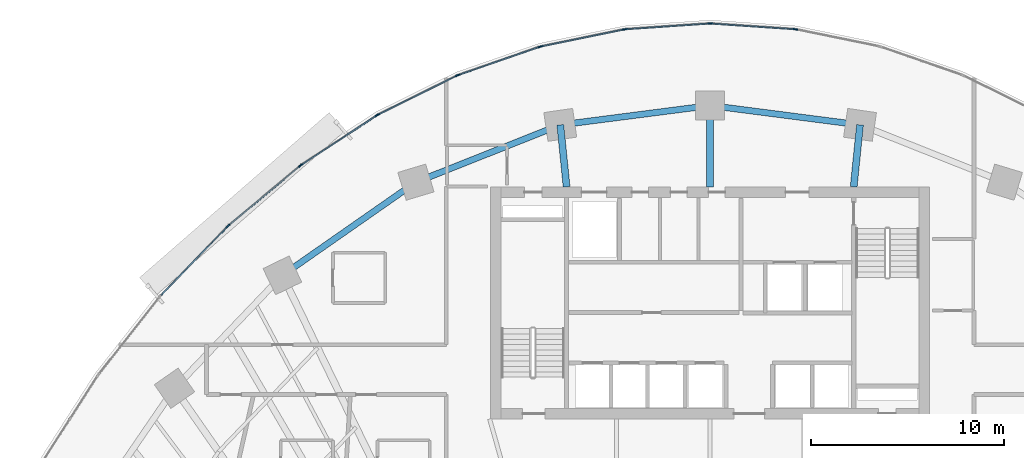
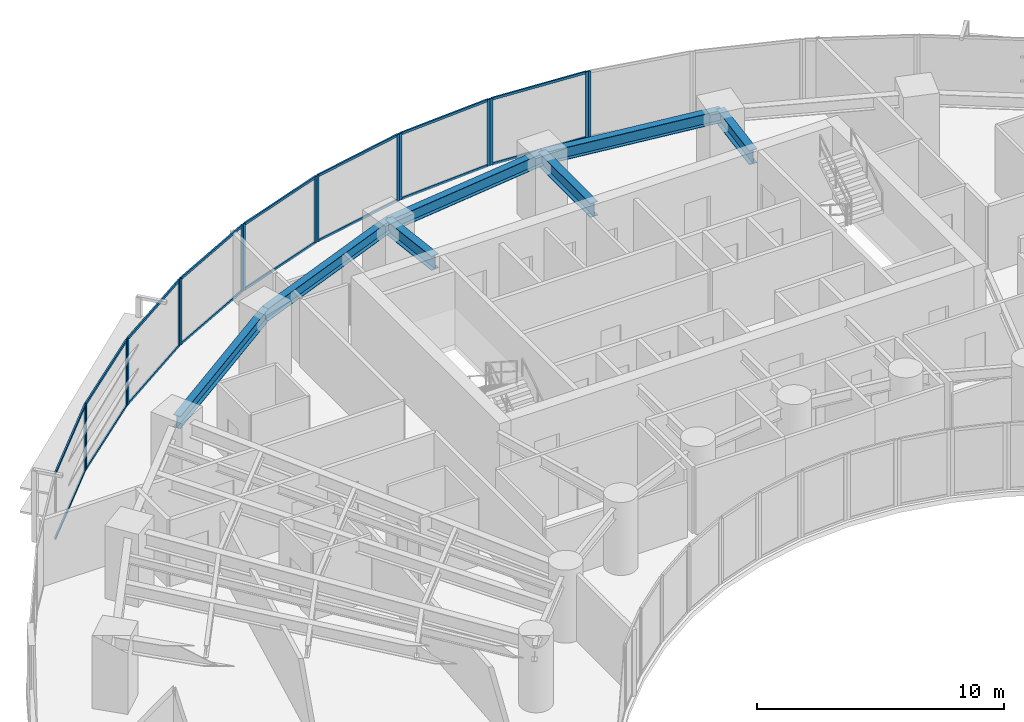
# One storey, part 6 of 17: 32 members, 7 beams, 9 elements without a shape of their own.
"""IFC4 building model written with IfcOpenShell, lengths in metres."""

from ifc_helpers import new_model, si_unit, direction, frame, origin, origin_2d, place, context, subcontext, project, spatial, rectangle, i_section, extrude, source, transform, mapped, material, layer, layer_set, material_profile, profile_set, type_object, element, aggregate, save


model = new_model("IFC4")

# Units and contexts
model_context = context("Model", 3, precision=1e-05, world=origin(), true_north=direction((0.0, 1.0)))
body_context = subcontext(model_context, "Body", "Model", "MODEL_VIEW")
ifc_project = project(units=[si_unit("LENGTHUNIT", "METRE"), si_unit("AREAUNIT", "SQUARE_METRE"), si_unit("VOLUMEUNIT", "CUBIC_METRE"), si_unit("PLANEANGLEUNIT", "RADIAN"), si_unit("MASSUNIT", "GRAM", prefix="KILO")], contexts=[model_context])

# Site, building, storey
site_placement = place(None, origin())
site = spatial("IfcSite", under=ifc_project, at=site_placement, CompositionType="ELEMENT")
building_placement = place(site_placement, origin())
building = spatial("IfcBuilding", under=site, at=building_placement, Name="Breltana Convention Tower", CompositionType="ELEMENT")
storey_placement = place(building_placement, frame((0.0, 0.0, 82.199951171875)))
storey = spatial("IfcBuildingStorey", under=building, at=storey_placement, Name="L19", CompositionType="ELEMENT", Elevation=82.199951171875)

# Beams
ifc_material_1 = material(Name="Steel ASTM A992 Grade 50", Category="steel")
ifc_material_profile_1 = material_profile(ifc_material_1, i_section(OverallWidth=0.323974609375, OverallDepth=0.611083984375, WebThickness=0.0126953125, FlangeThickness=0.01904296875, at=origin_2d()), Name="W24X104")
ifc_profile_set_1 = profile_set([ifc_material_profile_1], Name="Steel ASTM A992 Grade 50")
beam_type_1 = type_object("IfcBeamType", Name="BM-SP-W24X104", PredefinedType="SPANDREL", material=ifc_profile_set_1)
shared_shape_1 = source(origin(), body_context, "Body", "SweptSolid", [
    extrude(i_section(OverallWidth=0.323974609375, OverallDepth=0.611083984375, WebThickness=0.0126953125, FlangeThickness=0.01904296875, at=origin_2d()), origin(), (0.0, 0.0, 1.0), 8.4169921875),
])
beam_1_placement = place(storey_placement, frame((25.8876953125, 67.626953125, 2.974609375), z_axis=(0.820173800102, 0.572114444519, 0.0), x_axis=(-0.572114444519, 0.820173800102, 0.0)))
element("IfcBeam", 1, at=beam_1_placement, inside=storey, type_object=beam_type_1, Name="L19 Outer Spandrel Beam 03", PredefinedType="SPANDREL", context=body_context, shape_type="MappedRepresentation", body=[
    mapped(shared_shape_1, transform((0.0, 0.0, 0.0), scale=1.0)),
])
shared_shape_2 = source(origin(), body_context, "Body", "SweptSolid", [
    extrude(i_section(OverallWidth=0.323974609375, OverallDepth=0.611083984375, WebThickness=0.0126953125, FlangeThickness=0.01904296875, at=origin_2d()), origin(), (0.0, 0.0, 1.0), 8.028564453125),
])
beam_2_placement = place(storey_placement, frame((32.791015625, 72.4423828125, 2.974609375), z_axis=(0.929459100394, 0.368925169507, 0.0), x_axis=(-0.368925169507, 0.929459100394, 0.0)))
element("IfcBeam", 2, at=beam_2_placement, inside=storey, type_object=beam_type_1, Name="L19 Outer Spandrel Beam 04", PredefinedType="SPANDREL", context=body_context, shape_type="MappedRepresentation", body=[
    mapped(shared_shape_2, transform((0.0, 0.0, 0.0), scale=1.0)),
])
shared_shape_3 = source(origin(), body_context, "Body", "SweptSolid", [
    extrude(i_section(OverallWidth=0.323974609375, OverallDepth=0.611083984375, WebThickness=0.0126953125, FlangeThickness=0.01904296875, at=origin_2d()), origin(), (0.0, 0.0, 1.0), 7.81103515625),
])
for number, where, z_axis, x_axis, name in (
    (3, (40.253173828125, 75.404296875, 2.974609375), (0.991775179127, 0.127992164083, 0.0), (-0.127992164083, 0.991775179127, 0.0), "L19 Outer Spandrel Beam 05"),
    (4, (48.0, 76.404052734375, 2.974609375), (0.991775179127, -0.127992164083, 0.0), (0.127992164083, 0.991775179127, 0.0), "L19 Outer Spandrel Beam 06"),
):
    element("IfcBeam", number, at=place(storey_placement, frame(where, z_axis=z_axis, x_axis=x_axis)), inside=storey, type_object=beam_type_1, Name=name, PredefinedType="SPANDREL", context=body_context, shape_type="MappedRepresentation", body=[
        mapped(shared_shape_3, transform((0.0, 0.0, 0.0), scale=1.0)),
    ])
ifc_material_profile_2 = material_profile(ifc_material_1, i_section(OverallWidth=0.35498046875, OverallDepth=0.696044921875, WebThickness=0.015380859375, FlangeThickness=0.02490234375, at=origin_2d()), Name="W27X146")
ifc_profile_set_2 = profile_set([ifc_material_profile_2], Name="Steel ASTM A992 Grade 50")
beam_type_2 = type_object("IfcBeamType", Name="BM-RG-W27X146", PredefinedType="USERDEFINED", material=ifc_profile_set_2)
shared_shape_4 = source(origin(), body_context, "Body", "SweptSolid", [
    extrude(i_section(OverallWidth=0.35498046875, OverallDepth=0.696044921875, WebThickness=0.015380859375, FlangeThickness=0.02490234375, at=origin_2d()), origin(), (0.0, 0.0, 1.0), 3.220947265625),
])
for number, where, z_axis, x_axis, name in (
    (5, (40.580078125, 72.199951171875, 2.93212890625), (-0.101492254858, 0.994836329355, 0.0), (-0.994836329355, -0.101492254858, 0.0), "L19 North Core Radial Girder R05"),
    (6, (55.419921875, 72.199951171875, 2.93212890625), (0.101492254858, 0.994836329355, 0.0), (-0.994836329355, 0.101492254858, 0.0), "L19 North Core Radial Girder R07"),
):
    element("IfcBeam", number, at=place(storey_placement, frame(where, z_axis=z_axis, x_axis=x_axis)), inside=storey, type_object=beam_type_2, Name=name, ObjectType="GIRDER", PredefinedType="USERDEFINED", context=body_context, shape_type="MappedRepresentation", body=[
        mapped(shared_shape_4, transform((0.0, 0.0, 0.0), scale=1.0)),
    ])
shared_shape_5 = source(origin(), body_context, "Body", "SweptSolid", [
    extrude(i_section(OverallWidth=0.35498046875, OverallDepth=0.696044921875, WebThickness=0.015380859375, FlangeThickness=0.02490234375, at=origin_2d()), origin(), (0.0, 0.0, 1.0), 4.2041015625),
])
beam_3_placement = place(storey_placement, frame((48.0, 72.199951171875, 2.93212890625), z_axis=(0.0, 1.0, 0.0), x_axis=(-1.0, 0.0, 0.0)))
element("IfcBeam", 7, at=beam_3_placement, inside=storey, type_object=beam_type_2, Name="L19 North Core Radial Girder R06", ObjectType="GIRDER", PredefinedType="USERDEFINED", context=body_context, shape_type="MappedRepresentation", body=[
    mapped(shared_shape_5, transform((0.0, 0.0, 0.0), scale=1.0)),
])

# Curtain wall, members
ifc_material_2 = material(Name="Aluminium Anodised Bronze Frame", Category="aluminium")
ifc_layer = layer(ifc_material_2, 0.199951171875, Name="Aluminium Anodised Bronze Frame")
ifc_layer_set = layer_set([ifc_layer], Name="Aluminium Anodised Bronze Frame")
curtain_wall_type = type_object("IfcCurtainWallType", Name="CW-SYS-2", PredefinedType="NOTDEFINED", material=ifc_layer_set)
curtain_wall_1_placement = place(storey_placement, origin())
curtain_wall_1 = element("IfcCurtainWall", 8, at=curtain_wall_1_placement, inside=storey, type_object=curtain_wall_type, Name="L19 outer double-skin inner glazing 3", PredefinedType="NOTDEFINED")
ifc_material_3 = material(Name="Aluminium Anodised Bronze", Category="aluminium")
ifc_material_profile_3 = material_profile(ifc_material_3, rectangle(XDim=0.070068359375, YDim=0.1201171875, at=origin_2d()), Name="CWT-70X120")
ifc_profile_set_3 = profile_set([ifc_material_profile_3], Name="Aluminium Anodised Bronze")
member_type_1 = type_object("IfcMemberType", Name="CWT-120", PredefinedType="USERDEFINED", material=ifc_profile_set_3)
shared_shape_6 = source(origin(), body_context, "Body", "SweptSolid", [
    extrude(rectangle(XDim=0.070068359375, YDim=0.1201171875, at=origin_2d()), origin(), (0.0, 0.0, 1.0), 4.901123046875),
])
member_1_placement = place(storey_placement, frame((19.615478515625, 66.5966796875, 0.03515625), z_axis=(0.6945945137, 0.719401460617, 0.0), x_axis=(-0.719401460617, 0.6945945137, 0.0)))
member_1 = element("IfcMember", 9, at=member_1_placement, type_object=member_type_1, Name="CW-02 transom 1.1", ObjectType="TRANSOM", PredefinedType="USERDEFINED", context=body_context, shape_type="MappedRepresentation", body=[
    mapped(shared_shape_6, transform((0.0, 0.0, 0.0), scale=1.0)),
])
member_2_placement = place(storey_placement, frame((19.615478515625, 66.5966796875, 3.2451171875), z_axis=(0.6945945137, 0.719401460617, 0.0), x_axis=(-0.719401460617, 0.6945945137, 0.0)))
member_2 = element("IfcMember", 10, at=member_2_placement, type_object=member_type_1, Name="CW-02 transom 1.2", ObjectType="TRANSOM", PredefinedType="USERDEFINED", context=body_context, shape_type="MappedRepresentation", body=[
    mapped(shared_shape_6, transform((0.0, 0.0, 0.0), scale=1.0)),
])

curtain_wall_2_placement = place(storey_placement, origin())
curtain_wall_2 = element("IfcCurtainWall", 11, at=curtain_wall_2_placement, inside=storey, type_object=curtain_wall_type, Name="L19 outer double-skin inner glazing 4", PredefinedType="NOTDEFINED")
shared_shape_7 = source(origin(), body_context, "Body", "SweptSolid", [
    extrude(rectangle(XDim=0.070068359375, YDim=0.1201171875, at=origin_2d()), origin(), (0.0, 0.0, 1.0), 4.7509765625),
])
member_3_placement = place(storey_placement, frame((23.1220703125, 70.2177734375, 0.03515625), z_axis=(0.767951631807, 0.64050783852, 0.0), x_axis=(-0.64050783852, 0.767951631807, 0.0)))
member_3 = element("IfcMember", 12, at=member_3_placement, type_object=member_type_1, Name="CW-02 transom 1.1", ObjectType="TRANSOM", PredefinedType="USERDEFINED", context=body_context, shape_type="MappedRepresentation", body=[
    mapped(shared_shape_7, transform((0.0, 0.0, 0.0), scale=1.0)),
])
member_4_placement = place(storey_placement, frame((23.1220703125, 70.2177734375, 3.2451171875), z_axis=(0.767951631807, 0.64050783852, 0.0), x_axis=(-0.64050783852, 0.767951631807, 0.0)))
member_4 = element("IfcMember", 13, at=member_4_placement, type_object=member_type_1, Name="CW-02 transom 1.2", ObjectType="TRANSOM", PredefinedType="USERDEFINED", context=body_context, shape_type="MappedRepresentation", body=[
    mapped(shared_shape_7, transform((0.0, 0.0, 0.0), scale=1.0)),
])

curtain_wall_3_placement = place(storey_placement, origin())
curtain_wall_3 = element("IfcCurtainWall", 14, at=curtain_wall_3_placement, inside=storey, type_object=curtain_wall_type, Name="L19 outer double-skin inner glazing 5", PredefinedType="NOTDEFINED")
shared_shape_8 = source(origin(), body_context, "Body", "SweptSolid", [
    extrude(rectangle(XDim=0.070068359375, YDim=0.1201171875, at=origin_2d()), origin(), (0.0, 0.0, 1.0), 4.610595703125),
])
member_5_placement = place(storey_placement, frame((26.8828125, 73.343994140625, 0.03515625), z_axis=(0.835956055104, 0.54879638659, 0.0), x_axis=(-0.54879638659, 0.835956055104, 0.0)))
member_5 = element("IfcMember", 15, at=member_5_placement, type_object=member_type_1, Name="CW-02 transom 1.1", ObjectType="TRANSOM", PredefinedType="USERDEFINED", context=body_context, shape_type="MappedRepresentation", body=[
    mapped(shared_shape_8, transform((0.0, 0.0, 0.0), scale=1.0)),
])
member_6_placement = place(storey_placement, frame((26.8828125, 73.343994140625, 3.2451171875), z_axis=(0.835956055104, 0.54879638659, 0.0), x_axis=(-0.54879638659, 0.835956055104, 0.0)))
member_6 = element("IfcMember", 16, at=member_6_placement, type_object=member_type_1, Name="CW-02 transom 1.2", ObjectType="TRANSOM", PredefinedType="USERDEFINED", context=body_context, shape_type="MappedRepresentation", body=[
    mapped(shared_shape_8, transform((0.0, 0.0, 0.0), scale=1.0)),
])

curtain_wall_4_placement = place(storey_placement, origin())
curtain_wall_4 = element("IfcCurtainWall", 17, at=curtain_wall_4_placement, inside=storey, type_object=curtain_wall_type, Name="L19 outer double-skin inner glazing 6", PredefinedType="NOTDEFINED")
shared_shape_9 = source(origin(), body_context, "Body", "SweptSolid", [
    extrude(rectangle(XDim=0.070068359375, YDim=0.1201171875, at=origin_2d()), origin(), (0.0, 0.0, 1.0), 4.487548828125),
])
member_7_placement = place(storey_placement, frame((30.8583984375, 75.94384765625, 0.03515625), z_axis=(0.895977728863, 0.444098986017, 0.0), x_axis=(-0.444098986017, 0.895977728863, 0.0)))
member_7 = element("IfcMember", 18, at=member_7_placement, type_object=member_type_1, Name="CW-02 transom 1.1", ObjectType="TRANSOM", PredefinedType="USERDEFINED", context=body_context, shape_type="MappedRepresentation", body=[
    mapped(shared_shape_9, transform((0.0, 0.0, 0.0), scale=1.0)),
])
member_8_placement = place(storey_placement, frame((30.8583984375, 75.94384765625, 3.2451171875), z_axis=(0.895977728863, 0.444098986017, 0.0), x_axis=(-0.444098986017, 0.895977728863, 0.0)))
member_8 = element("IfcMember", 19, at=member_8_placement, type_object=member_type_1, Name="CW-02 transom 1.2", ObjectType="TRANSOM", PredefinedType="USERDEFINED", context=body_context, shape_type="MappedRepresentation", body=[
    mapped(shared_shape_9, transform((0.0, 0.0, 0.0), scale=1.0)),
])

curtain_wall_5_placement = place(storey_placement, origin())
curtain_wall_5 = element("IfcCurtainWall", 20, at=curtain_wall_5_placement, inside=storey, type_object=curtain_wall_type, Name="L19 outer double-skin inner glazing 7", PredefinedType="NOTDEFINED")
shared_shape_10 = source(origin(), body_context, "Body", "SweptSolid", [
    extrude(rectangle(XDim=0.070068359375, YDim=0.1201171875, at=origin_2d()), origin(), (0.0, 0.0, 1.0), 4.38818359375),
])
member_9_placement = place(storey_placement, frame((35.008056640625, 77.99072265625, 0.03515625), z_axis=(0.944878203019, 0.32742202348, 0.0), x_axis=(-0.32742202348, 0.944878203019, 0.0)))
member_9 = element("IfcMember", 21, at=member_9_placement, type_object=member_type_1, Name="CW-02 transom 1.1", ObjectType="TRANSOM", PredefinedType="USERDEFINED", context=body_context, shape_type="MappedRepresentation", body=[
    mapped(shared_shape_10, transform((0.0, 0.0, 0.0), scale=1.0)),
])
member_10_placement = place(storey_placement, frame((35.008056640625, 77.99072265625, 3.2451171875), z_axis=(0.944878203019, 0.32742202348, 0.0), x_axis=(-0.32742202348, 0.944878203019, 0.0)))
member_10 = element("IfcMember", 22, at=member_10_placement, type_object=member_type_1, Name="CW-02 transom 1.2", ObjectType="TRANSOM", PredefinedType="USERDEFINED", context=body_context, shape_type="MappedRepresentation", body=[
    mapped(shared_shape_10, transform((0.0, 0.0, 0.0), scale=1.0)),
])

curtain_wall_6_placement = place(storey_placement, origin())
curtain_wall_6 = element("IfcCurtainWall", 23, at=curtain_wall_6_placement, inside=storey, type_object=curtain_wall_type, Name="L19 outer double-skin inner glazing 8", PredefinedType="NOTDEFINED")
shared_shape_11 = source(origin(), body_context, "Body", "SweptSolid", [
    extrude(rectangle(XDim=0.070068359375, YDim=0.1201171875, at=origin_2d()), origin(), (0.0, 0.0, 1.0), 4.318359375),
])
member_11_placement = place(storey_placement, frame((39.2890625, 79.464599609375, 0.03515625), z_axis=(0.979616680923, 0.200875977799, 0.0), x_axis=(-0.200875977799, 0.979616680923, 0.0)))
member_11 = element("IfcMember", 24, at=member_11_placement, type_object=member_type_1, Name="CW-02 transom 1.1", ObjectType="TRANSOM", PredefinedType="USERDEFINED", context=body_context, shape_type="MappedRepresentation", body=[
    mapped(shared_shape_11, transform((0.0, 0.0, 0.0), scale=1.0)),
])
member_12_placement = place(storey_placement, frame((39.2890625, 79.464599609375, 3.2451171875), z_axis=(0.979616680923, 0.200875977799, 0.0), x_axis=(-0.200875977799, 0.979616680923, 0.0)))
member_12 = element("IfcMember", 25, at=member_12_placement, type_object=member_type_1, Name="CW-02 transom 1.2", ObjectType="TRANSOM", PredefinedType="USERDEFINED", context=body_context, shape_type="MappedRepresentation", body=[
    mapped(shared_shape_11, transform((0.0, 0.0, 0.0), scale=1.0)),
])

curtain_wall_7_placement = place(storey_placement, origin())
curtain_wall_7 = element("IfcCurtainWall", 26, at=curtain_wall_7_placement, inside=storey, type_object=curtain_wall_type, Name="L19 outer double-skin inner glazing 9", PredefinedType="NOTDEFINED")
shared_shape_12 = source(origin(), body_context, "Body", "SweptSolid", [
    extrude(rectangle(XDim=0.070068359375, YDim=0.1201171875, at=origin_2d()), origin(), (0.0, 0.0, 1.0), 4.2822265625),
])
member_13_placement = place(storey_placement, frame((43.65771484375, 80.350830078125, 0.03515625), z_axis=(0.997703698684, 0.067729828231, 0.0), x_axis=(-0.067729828231, 0.997703698684, 0.0)))
member_13 = element("IfcMember", 27, at=member_13_placement, type_object=member_type_1, Name="CW-02 transom 1.1", ObjectType="TRANSOM", PredefinedType="USERDEFINED", context=body_context, shape_type="MappedRepresentation", body=[
    mapped(shared_shape_12, transform((0.0, 0.0, 0.0), scale=1.0)),
])
member_14_placement = place(storey_placement, frame((43.65771484375, 80.350830078125, 3.2451171875), z_axis=(0.997703698684, 0.067729828231, 0.0), x_axis=(-0.067729828231, 0.997703698684, 0.0)))
member_14 = element("IfcMember", 28, at=member_14_placement, type_object=member_type_1, Name="CW-02 transom 1.2", ObjectType="TRANSOM", PredefinedType="USERDEFINED", context=body_context, shape_type="MappedRepresentation", body=[
    mapped(shared_shape_12, transform((0.0, 0.0, 0.0), scale=1.0)),
])

curtain_wall_8_placement = place(storey_placement, origin())
curtain_wall_8 = element("IfcCurtainWall", 29, at=curtain_wall_8_placement, inside=storey, type_object=curtain_wall_type, Name="L19 outer double-skin inner glazing 10", PredefinedType="NOTDEFINED")
member_15_placement = place(storey_placement, frame((48.06982421875, 80.640869140625, 0.03515625), z_axis=(0.997703698684, -0.067729828231, 0.0), x_axis=(0.067729828231, 0.997703698684, 0.0)))
member_15 = element("IfcMember", 30, at=member_15_placement, type_object=member_type_1, Name="CW-02 transom 1.1", ObjectType="TRANSOM", PredefinedType="USERDEFINED", context=body_context, shape_type="MappedRepresentation", body=[
    mapped(shared_shape_12, transform((0.0, 0.0, 0.0), scale=1.0)),
])
member_16_placement = place(storey_placement, frame((48.06982421875, 80.640869140625, 3.2451171875), z_axis=(0.997703698684, -0.067729828231, 0.0), x_axis=(0.067729828231, 0.997703698684, 0.0)))
member_16 = element("IfcMember", 31, at=member_16_placement, type_object=member_type_1, Name="CW-02 transom 1.2", ObjectType="TRANSOM", PredefinedType="USERDEFINED", context=body_context, shape_type="MappedRepresentation", body=[
    mapped(shared_shape_12, transform((0.0, 0.0, 0.0), scale=1.0)),
])

# Member
ifc_material_profile_4 = material_profile(ifc_material_3, rectangle(XDim=0.070068359375, YDim=0.175048828125, at=origin_2d()), Name="CWM-70X175")
ifc_profile_set_4 = profile_set([ifc_material_profile_4], Name="Aluminium Anodised Bronze")
member_type_2 = type_object("IfcMemberType", Name="CWM-175", PredefinedType="MULLION", material=ifc_profile_set_4)
shared_shape_13 = source(origin(), body_context, "Body", "SweptSolid", [
    extrude(rectangle(XDim=0.070068359375, YDim=0.175048828125, at=origin_2d()), origin(), (0.0, 0.0, 1.0), 3.280029296875),
])
member_17_placement = place(storey_placement, frame((23.044189453125, 70.147705078125, 0.0), z_axis=(0.0, 0.0, 1.0), x_axis=(-0.719386421003, 0.694610090106, 0.0)))
member_17 = element("IfcMember", 32, at=member_17_placement, type_object=member_type_2, Name="CW-02 mullion 2", PredefinedType="MULLION", context=body_context, shape_type="MappedRepresentation", body=[
    mapped(shared_shape_13, transform((0.0, 0.0, 0.0), scale=1.0)),
])

aggregate(curtain_wall_1, [member_17, member_1, member_2])

member_18_placement = place(storey_placement, frame((23.09521484375, 70.1953125, 0.0), z_axis=(0.0, 0.0, 1.0), x_axis=(-0.640520193554, 0.767941326958, 0.0)))
member_18 = element("IfcMember", 33, at=member_18_placement, type_object=member_type_2, Name="CW-02 mullion 1", PredefinedType="MULLION", context=body_context, shape_type="MappedRepresentation", body=[
    mapped(shared_shape_13, transform((0.0, 0.0, 0.0), scale=1.0)),
])

member_19_placement = place(storey_placement, frame((26.79736328125, 73.283203125, 0.0), z_axis=(0.0, 0.0, 1.0), x_axis=(-0.640520193554, 0.767941326958, 0.0)))
member_19 = element("IfcMember", 34, at=member_19_placement, type_object=member_type_2, Name="CW-02 mullion 2", PredefinedType="MULLION", context=body_context, shape_type="MappedRepresentation", body=[
    mapped(shared_shape_13, transform((0.0, 0.0, 0.0), scale=1.0)),
])

aggregate(curtain_wall_2, [member_18, member_19, member_3, member_4])

member_20_placement = place(storey_placement, frame((26.853515625, 73.32470703125, 0.0), z_axis=(0.0, 0.0, 1.0), x_axis=(-0.548784255746, 0.83596401875, 0.0)))
member_20 = element("IfcMember", 35, at=member_20_placement, type_object=member_type_2, Name="CW-02 mullion 1", PredefinedType="MULLION", context=body_context, shape_type="MappedRepresentation", body=[
    mapped(shared_shape_13, transform((0.0, 0.0, 0.0), scale=1.0)),
])

member_21_placement = place(storey_placement, frame((30.766357421875, 75.8935546875, 0.0), z_axis=(0.0, 0.0, 1.0), x_axis=(-0.548784255746, 0.83596401875, 0.0)))
member_21 = element("IfcMember", 36, at=member_21_placement, type_object=member_type_2, Name="CW-02 mullion 2", PredefinedType="MULLION", context=body_context, shape_type="MappedRepresentation", body=[
    mapped(shared_shape_13, transform((0.0, 0.0, 0.0), scale=1.0)),
])

aggregate(curtain_wall_3, [member_20, member_21, member_5, member_6])

member_22_placement = place(storey_placement, frame((30.8271484375, 75.92822265625, 0.0), z_axis=(0.0, 0.0, 1.0), x_axis=(-0.444107703726, 0.895973407804, 0.0)))
member_22 = element("IfcMember", 37, at=member_22_placement, type_object=member_type_2, Name="CW-02 mullion 1", PredefinedType="MULLION", context=body_context, shape_type="MappedRepresentation", body=[
    mapped(shared_shape_13, transform((0.0, 0.0, 0.0), scale=1.0)),
])

member_23_placement = place(storey_placement, frame((34.910400390625, 77.9521484375, 0.0), z_axis=(0.0, 0.0, 1.0), x_axis=(-0.444107703726, 0.895973407804, 0.0)))
member_23 = element("IfcMember", 38, at=member_23_placement, type_object=member_type_2, Name="CW-02 mullion 2", PredefinedType="MULLION", context=body_context, shape_type="MappedRepresentation", body=[
    mapped(shared_shape_13, transform((0.0, 0.0, 0.0), scale=1.0)),
])

aggregate(curtain_wall_4, [member_22, member_23, member_7, member_8])

member_24_placement = place(storey_placement, frame((34.974853515625, 77.979248046875, 0.0), z_axis=(0.0, 0.0, 1.0), x_axis=(-0.32742834581, 0.944876012163, 0.0)))
member_24 = element("IfcMember", 39, at=member_24_placement, type_object=member_type_2, Name="CW-02 mullion 1", PredefinedType="MULLION", context=body_context, shape_type="MappedRepresentation", body=[
    mapped(shared_shape_13, transform((0.0, 0.0, 0.0), scale=1.0)),
])

member_25_placement = place(storey_placement, frame((39.1875, 79.43896484375, 0.0), z_axis=(0.0, 0.0, 1.0), x_axis=(-0.32742834581, 0.944876012163, 0.0)))
member_25 = element("IfcMember", 40, at=member_25_placement, type_object=member_type_2, Name="CW-02 mullion 2", PredefinedType="MULLION", context=body_context, shape_type="MappedRepresentation", body=[
    mapped(shared_shape_13, transform((0.0, 0.0, 0.0), scale=1.0)),
])

aggregate(curtain_wall_5, [member_24, member_25, member_9, member_10])

member_26_placement = place(storey_placement, frame((39.2548828125, 79.45751953125, 0.0), z_axis=(0.0, 0.0, 1.0), x_axis=(-0.200884537139, 0.979614925743, 0.0)))
member_26 = element("IfcMember", 41, at=member_26_placement, type_object=member_type_2, Name="CW-02 mullion 1", PredefinedType="MULLION", context=body_context, shape_type="MappedRepresentation", body=[
    mapped(shared_shape_13, transform((0.0, 0.0, 0.0), scale=1.0)),
])

member_27_placement = place(storey_placement, frame((43.5537109375, 80.339111328125, 0.0), z_axis=(0.0, 0.0, 1.0), x_axis=(-0.200884537139, 0.979614925743, 0.0)))
member_27 = element("IfcMember", 42, at=member_27_placement, type_object=member_type_2, Name="CW-02 mullion 2", PredefinedType="MULLION", context=body_context, shape_type="MappedRepresentation", body=[
    mapped(shared_shape_13, transform((0.0, 0.0, 0.0), scale=1.0)),
])

aggregate(curtain_wall_6, [member_26, member_27, member_11, member_12])

member_28_placement = place(storey_placement, frame((43.622802734375, 80.348388671875, 0.0), z_axis=(0.0, 0.0, 1.0), x_axis=(-0.067725650529, 0.997703982282, 0.0)))
member_28 = element("IfcMember", 43, at=member_28_placement, type_object=member_type_2, Name="CW-02 mullion 1", PredefinedType="MULLION", context=body_context, shape_type="MappedRepresentation", body=[
    mapped(shared_shape_13, transform((0.0, 0.0, 0.0), scale=1.0)),
])

member_29_placement = place(storey_placement, frame((47.965087890625, 80.643310546875, 0.0), z_axis=(0.0, 0.0, 1.0), x_axis=(-0.067725650529, 0.997703982282, 0.0)))
member_29 = element("IfcMember", 44, at=member_29_placement, type_object=member_type_2, Name="CW-02 mullion 2", PredefinedType="MULLION", context=body_context, shape_type="MappedRepresentation", body=[
    mapped(shared_shape_13, transform((0.0, 0.0, 0.0), scale=1.0)),
])

aggregate(curtain_wall_7, [member_28, member_29, member_13, member_14])

member_30_placement = place(storey_placement, frame((48.034912109375, 80.643310546875, 0.0), z_axis=(0.0, 0.0, 1.0), x_axis=(0.067725650529, 0.997703982282, 0.0)))
member_30 = element("IfcMember", 45, at=member_30_placement, type_object=member_type_2, Name="CW-02 mullion 1", PredefinedType="MULLION", context=body_context, shape_type="MappedRepresentation", body=[
    mapped(shared_shape_13, transform((0.0, 0.0, 0.0), scale=1.0)),
])

member_31_placement = place(storey_placement, frame((52.377197265625, 80.348388671875, 0.0), z_axis=(0.0, 0.0, 1.0), x_axis=(0.067725650529, 0.997703982282, 0.0)))
member_31 = element("IfcMember", 46, at=member_31_placement, type_object=member_type_2, Name="CW-02 mullion 2", PredefinedType="MULLION", context=body_context, shape_type="MappedRepresentation", body=[
    mapped(shared_shape_13, transform((0.0, 0.0, 0.0), scale=1.0)),
])

aggregate(curtain_wall_8, [member_30, member_31, member_15, member_16])

# Curtain wall, member
curtain_wall_9_placement = place(storey_placement, origin())
curtain_wall_9 = element("IfcCurtainWall", 47, at=curtain_wall_9_placement, inside=storey, type_object=curtain_wall_type, Name="L19 outer double-skin inner glazing 11", PredefinedType="NOTDEFINED")
member_32_placement = place(storey_placement, frame((52.4462890625, 80.339111328125, 0.0), z_axis=(0.0, 0.0, 1.0), x_axis=(0.200884537139, 0.979614925743, 0.0)))
member_32 = element("IfcMember", 48, at=member_32_placement, type_object=member_type_2, Name="CW-02 mullion 1", PredefinedType="MULLION", context=body_context, shape_type="MappedRepresentation", body=[
    mapped(shared_shape_13, transform((0.0, 0.0, 0.0), scale=1.0)),
])
aggregate(curtain_wall_9, [member_32])

save(model, "model.ifc")
